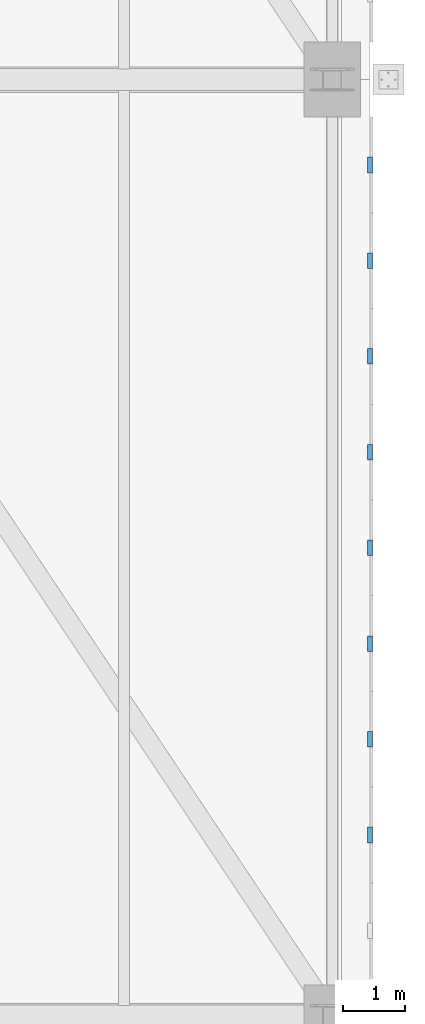
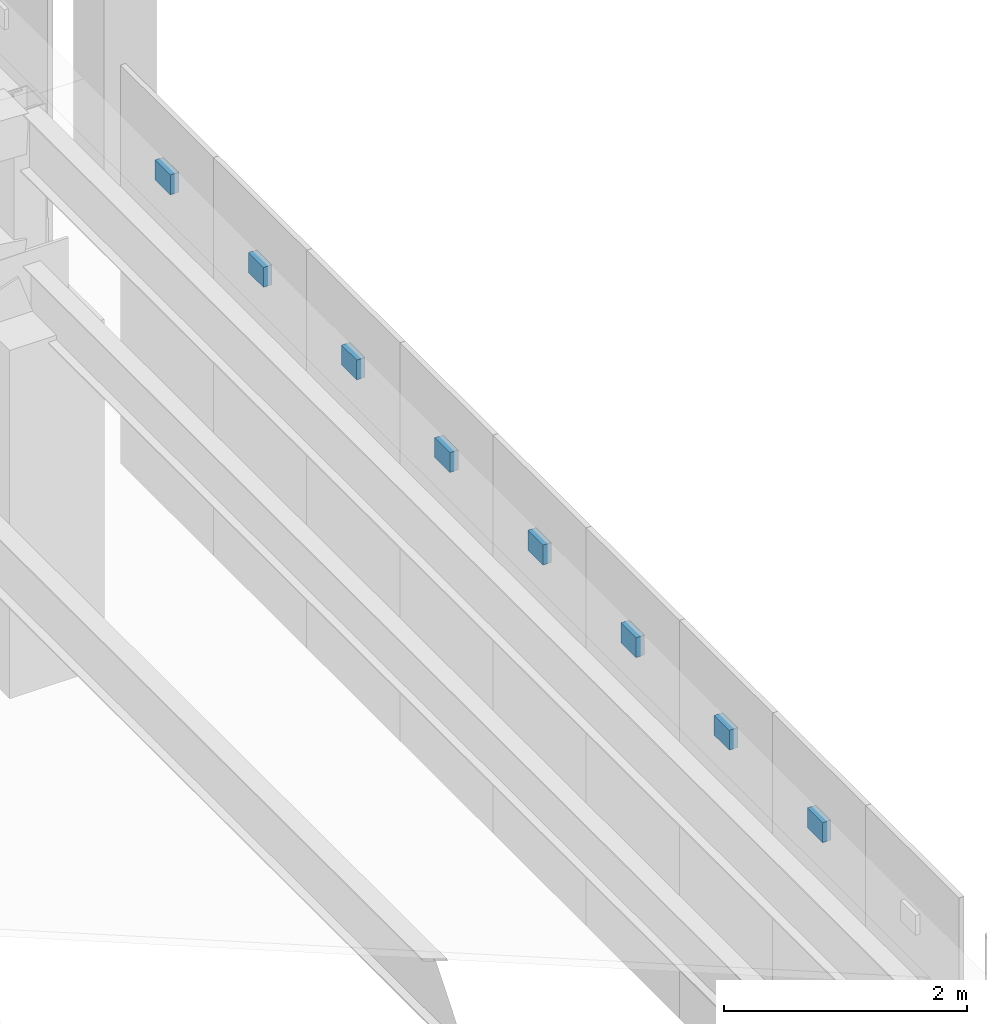
# One storey, part 253 of 278: 8 discrete accessories.
"""IFC4 building model written with IfcOpenShell, lengths in metres."""

from ifc_helpers import new_model, si_unit, direction, frame, origin, origin_2d, place, context, subcontext, project, spatial, rectangle, extrude, material, layer, layer_set, type_object, element, save


model = new_model("IFC4")

# Units and contexts
model_context = context("Model", 3, precision=1e-05, world=origin(), true_north=direction((0.0, 1.0)))
body_context = subcontext(model_context, "Body", "Model", "MODEL_VIEW")
ifc_project = project(units=[si_unit("LENGTHUNIT", "METRE"), si_unit("AREAUNIT", "SQUARE_METRE"), si_unit("VOLUMEUNIT", "CUBIC_METRE"), si_unit("PLANEANGLEUNIT", "RADIAN"), si_unit("MASSUNIT", "GRAM", prefix="KILO")], contexts=[model_context])

# Site, building, storey
site_placement = place(None, origin())
site = spatial("IfcSite", under=ifc_project, at=site_placement, CompositionType="ELEMENT")
building_placement = place(site_placement, origin())
building = spatial("IfcBuilding", under=site, at=building_placement, Name="Ogive Plaza Stadium", CompositionType="ELEMENT")
storey_placement = place(building_placement, frame((0.0, 0.0, 29.0)))
storey = spatial("IfcBuildingStorey", under=building, at=storey_placement, Name="Roof", CompositionType="ELEMENT", Elevation=29.0)

# Discrete accessories
ifc_material = material(Name="Steel ASTM A572 Grade 50", Category="steel")
ifc_layer = layer(ifc_material, 0.080078125)
ifc_layer_set = layer_set([ifc_layer], Name="Steel ASTM A572 Grade 50")
discrete_accessory_type = type_object("IfcDiscreteAccessoryType", Name="Tracery screen bracket 250x200", PredefinedType="BRACKET", material=ifc_layer_set)
for number, where, z_axis, x_axis, name in (
    (1, (84.602294921875, 36.13330078125, 5.25), (0.0, 0.0, 1.0), (0.0, -1.0, 0.0), "TRACERY SCREEN BRACKET B02 1"),
    (2, (84.602294921875, 34.60009765625, 5.25), (0.0, 0.0, 1.0), (0.0, -1.0, 0.0), "TRACERY SCREEN BRACKET B02 2"),
    (3, (84.602294921875, 33.066650390625, 5.25), (0.0, 0.0, 1.0), (0.0, -1.0, 0.0), "TRACERY SCREEN BRACKET B02 3"),
    (4, (84.602294921875, 31.533203125, 5.25), (0.0, 0.0, 1.0), (0.0, -1.0, 0.0), "TRACERY SCREEN BRACKET B02 4"),
    (5, (84.602294921875, 30.0, 5.25), (0.0, 0.0, 1.0), (0.0, -1.0, 0.0), "TRACERY SCREEN BRACKET B02 5"),
    (6, (84.602294921875, 28.466796875, 5.25), (0.0, 0.0, 1.0), (0.0, -1.0, 0.0), "TRACERY SCREEN BRACKET B02 6"),
    (7, (84.602294921875, 26.933349609375, 5.25), (0.0, 0.0, 1.0), (0.0, -1.0, 0.0), "TRACERY SCREEN BRACKET B02 7"),
    (8, (84.602294921875, 25.39990234375, 5.25), (0.0, 0.0, 1.0), (0.0, -1.0, 0.0), "TRACERY SCREEN BRACKET B02 8"),
):
    element("IfcDiscreteAccessory", number, at=place(storey_placement, frame(where, z_axis=z_axis, x_axis=x_axis)), inside=storey, type_object=discrete_accessory_type, Name=name, PredefinedType="BRACKET", context=body_context, shape_type="SweptSolid", body=[
        extrude(rectangle(XDim=0.25, YDim=0.080078125, at=origin_2d()), origin(), (0.0, 0.0, 1.0), 0.199951171875),
    ])

save(model, "model.ifc")
